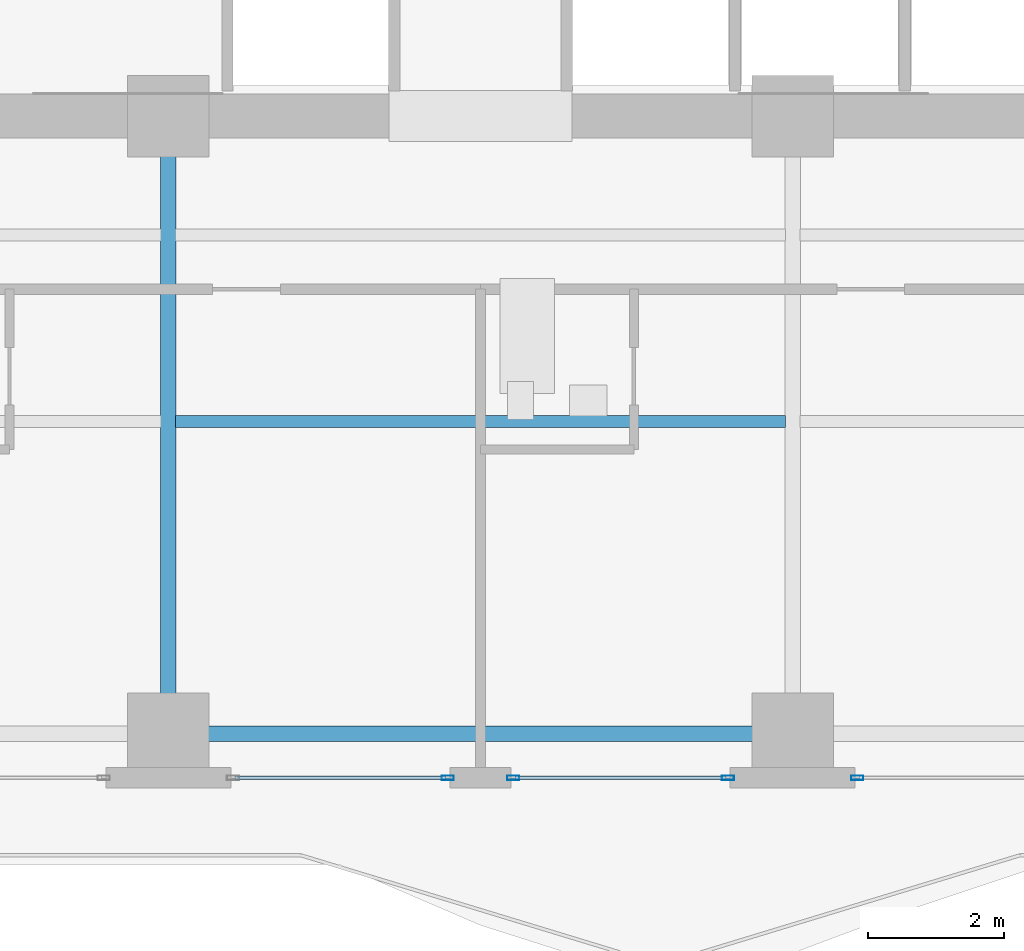
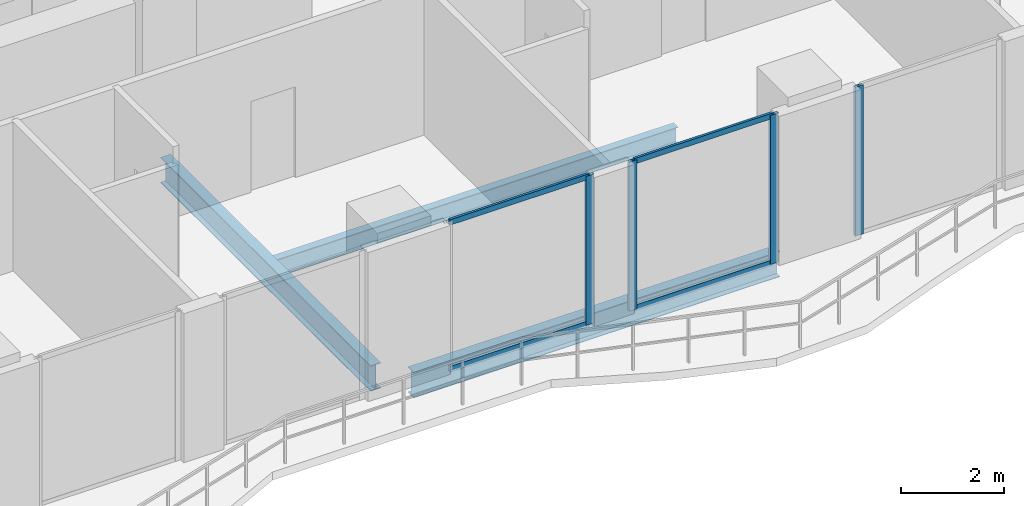
# One storey, part 5 of 32: 8 members, 3 beams, 3 elements without a shape of their own.
"""IFC4 building model written with IfcOpenShell, lengths in metres."""

from ifc_helpers import new_model, si_unit, direction, frame, origin, origin_2d, place, context, subcontext, project, spatial, hollow_rectangle, i_section, extrude, material, layer, layer_set, material_profile, profile_set, type_object, element, aggregate, save


model = new_model("IFC4")

# Units and contexts
model_context = context("Model", 3, precision=1e-05, world=origin(), true_north=direction((0.0, 1.0)))
body_context = subcontext(model_context, "Body", "Model", "MODEL_VIEW")
ifc_project = project(units=[si_unit("LENGTHUNIT", "METRE"), si_unit("AREAUNIT", "SQUARE_METRE"), si_unit("VOLUMEUNIT", "CUBIC_METRE"), si_unit("PLANEANGLEUNIT", "RADIAN"), si_unit("MASSUNIT", "GRAM", prefix="KILO")], contexts=[model_context])

# Site, building, storey
site_placement = place(None, origin())
site = spatial("IfcSite", under=ifc_project, at=site_placement, CompositionType="ELEMENT")
building_placement = place(site_placement, origin())
building = spatial("IfcBuilding", under=site, at=building_placement, Name="Zuhayl Quay Hotel", CompositionType="ELEMENT")
storey_placement = place(building_placement, frame((0.0, 0.0, 226.14990234375)))
storey = spatial("IfcBuildingStorey", under=building, at=storey_placement, Name="L57", CompositionType="ELEMENT", Elevation=226.14990234375)

# Beams
ifc_material_1 = material(Name="Steel ASTM A992 Grade 50", Category="steel")
ifc_material_profile_1 = material_profile(ifc_material_1, i_section(OverallWidth=0.22802734375, OverallDepth=0.60693359375, WebThickness=0.01123046875, FlangeThickness=0.017333984375, at=origin_2d()), Name="W24X76")
ifc_profile_set_1 = profile_set([ifc_material_profile_1], Name="Steel ASTM A992 Grade 50")
beam_type_1 = type_object("IfcBeamType", Name="BM_B3_W24X76", PredefinedType="BEAM", material=ifc_profile_set_1)
beam_1_placement = place(storey_placement, frame((-4.10009765625, -6.949951171875, -0.5234375), z_axis=(1.0, 0.0, 0.0), x_axis=(0.0, 1.0, 0.0)))
element("IfcBeam", 1, at=beam_1_placement, inside=storey, type_object=beam_type_1, Name="L57 Floor Beam RG_L57_02", PredefinedType="BEAM", context=body_context, shape_type="SweptSolid", body=[
    extrude(i_section(OverallWidth=0.22802734375, OverallDepth=0.60693359375, WebThickness=0.01123046875, FlangeThickness=0.017333984375, at=origin_2d()), origin(), (0.0, 0.0, 1.0), 8.2001953125),
])
beam_2_placement = place(storey_placement, frame((-4.60009765625, -6.449951171875, -0.5234375), z_axis=(0.0, 1.0, 0.0), x_axis=(-1.0, 0.0, 0.0)))
element("IfcBeam", 2, at=beam_2_placement, inside=storey, type_object=beam_type_1, Name="L57 Floor Beam FG_S_L57_2", PredefinedType="BEAM", context=body_context, shape_type="SweptSolid", body=[
    extrude(i_section(OverallWidth=0.22802734375, OverallDepth=0.60693359375, WebThickness=0.01123046875, FlangeThickness=0.017333984375, at=origin_2d()), origin(), (0.0, 0.0, 1.0), 8.14990234375),
])
ifc_material_profile_2 = material_profile(ifc_material_1, i_section(OverallWidth=0.177978515625, OverallDepth=0.406005859375, WebThickness=0.0078125, FlangeThickness=0.0126953125, at=origin_2d()), Name="W16X40")
ifc_profile_set_2 = profile_set([ifc_material_profile_2], Name="Steel ASTM A992 Grade 50")
beam_type_2 = type_object("IfcBeamType", Name="BM_J2B_W16X40", PredefinedType="JOIST", material=ifc_profile_set_2)
beam_3_placement = place(storey_placement, frame((-4.493896484375, -2.35009765625, -0.4228515625), z_axis=(1.0, 0.0, 0.0), x_axis=(0.0, 1.0, 0.0)))
element("IfcBeam", 3, at=beam_3_placement, inside=storey, type_object=beam_type_2, Name="L57 Floor Beam FJ_L57_7_2", PredefinedType="JOIST", context=body_context, shape_type="SweptSolid", body=[
    extrude(i_section(OverallWidth=0.177978515625, OverallDepth=0.406005859375, WebThickness=0.0078125, FlangeThickness=0.0126953125, at=origin_2d()), origin(), (0.0, 0.0, 1.0), 8.98779296875),
])

# Curtain wall, member
ifc_material_2 = material(Name="Anodised Aluminium 6063-T6", Category="aluminium")
ifc_layer = layer(ifc_material_2, 0.175048828125, Name="Anodised Aluminium 6063-T6", Category="aluminium")
ifc_layer_set = layer_set([ifc_layer], Name="Anodised Aluminium 6063-T6")
curtain_wall_type = type_object("IfcCurtainWallType", Name="CW_SYS_Z3", PredefinedType="USERDEFINED", material=ifc_layer_set)
curtain_wall_1_placement = place(storey_placement, origin())
curtain_wall_1 = element("IfcCurtainWall", 4, at=curtain_wall_1_placement, inside=storey, type_object=curtain_wall_type, Name="L57 Curtain Wall ENV_L57_S_CW3", ObjectType="UNITISED CURTAIN WALL", PredefinedType="USERDEFINED")
ifc_material_3 = material(Name="Black-anodised aluminium 6063-T6", Category="aluminium")
ifc_material_profile_3 = material_profile(ifc_material_3, hollow_rectangle(XDim=0.06494140625, YDim=0.179931640625, WallThickness=0.00341796875, at=origin_2d()), Name="ALU180X65")
ifc_profile_set_3 = profile_set([ifc_material_profile_3], Name="Black-anodised aluminium 6063-T6")
member_type_1 = type_object("IfcMemberType", Name="MB_CW_MUL_180", PredefinedType="MULLION", material=ifc_profile_set_3)
member_1_placement = place(storey_placement, frame((5.552490234375, -7.60009765625, 0.0), z_axis=(0.0, 0.0, 1.0), x_axis=(0.0, -1.0, 0.0)))
member_1 = element("IfcMember", 5, at=member_1_placement, type_object=member_type_1, Name="CW-Z3 mullion 2", PredefinedType="MULLION", context=body_context, shape_type="SweptSolid", body=[
    extrude(hollow_rectangle(XDim=0.06494140625, YDim=0.179931640625, WallThickness=0.00341796875, at=origin_2d()), origin(), (0.0, 0.0, 1.0), 3.530029296875),
])
aggregate(curtain_wall_1, [member_1])

# Curtain wall, members
curtain_wall_2_placement = place(storey_placement, origin())
curtain_wall_2 = element("IfcCurtainWall", 6, at=curtain_wall_2_placement, inside=storey, type_object=curtain_wall_type, Name="L57 Curtain Wall ENV_L57_S_CW4", ObjectType="UNITISED CURTAIN WALL", PredefinedType="USERDEFINED")
member_2_placement = place(storey_placement, frame((3.6474609375, -7.60009765625, 0.0), z_axis=(0.0, 0.0, 1.0), x_axis=(0.0, -1.0, 0.0)))
member_2 = element("IfcMember", 7, at=member_2_placement, type_object=member_type_1, Name="CW-Z3 mullion 1", PredefinedType="MULLION", context=body_context, shape_type="SweptSolid", body=[
    extrude(hollow_rectangle(XDim=0.06494140625, YDim=0.179931640625, WallThickness=0.00341796875, at=origin_2d()), origin(), (0.0, 0.0, 1.0), 3.530029296875),
])
member_3_placement = place(storey_placement, frame((0.482421875, -7.60009765625, 0.0), z_axis=(0.0, 0.0, 1.0), x_axis=(0.0, -1.0, 0.0)))
member_3 = element("IfcMember", 8, at=member_3_placement, type_object=member_type_1, Name="CW-Z3 mullion 2", PredefinedType="MULLION", context=body_context, shape_type="SweptSolid", body=[
    extrude(hollow_rectangle(XDim=0.06494140625, YDim=0.179931640625, WallThickness=0.00341796875, at=origin_2d()), origin(), (0.0, 0.0, 1.0), 3.530029296875),
])

# Curtain wall, member
curtain_wall_3_placement = place(storey_placement, origin())
curtain_wall_3 = element("IfcCurtainWall", 9, at=curtain_wall_3_placement, inside=storey, type_object=curtain_wall_type, Name="L57 Curtain Wall ENV_L57_S_CW5", ObjectType="UNITISED CURTAIN WALL", PredefinedType="USERDEFINED")
member_4_placement = place(storey_placement, frame((-0.482421875, -7.60009765625, 0.0), z_axis=(0.0, 0.0, 1.0), x_axis=(0.0, -1.0, 0.0)))
member_4 = element("IfcMember", 10, at=member_4_placement, type_object=member_type_1, Name="CW-Z3 mullion 1", PredefinedType="MULLION", context=body_context, shape_type="SweptSolid", body=[
    extrude(hollow_rectangle(XDim=0.06494140625, YDim=0.179931640625, WallThickness=0.00341796875, at=origin_2d()), origin(), (0.0, 0.0, 1.0), 3.530029296875),
])

# Member
ifc_material_profile_4 = material_profile(ifc_material_3, hollow_rectangle(XDim=0.054931640625, YDim=0.1298828125, WallThickness=0.0029296875, at=origin_2d()), Name="ALU130X55")
ifc_profile_set_4 = profile_set([ifc_material_profile_4], Name="Black-anodised aluminium 6063-T6")
member_type_2 = type_object("IfcMemberType", Name="MB_CW_TRN_130", PredefinedType="USERDEFINED", material=ifc_profile_set_4)
member_5_placement = place(storey_placement, frame((3.614990234375, -7.60009765625, 0.027587890625), z_axis=(-1.0, 0.0, 0.0), x_axis=(0.0, -1.0, 0.0)))
member_5 = element("IfcMember", 11, at=member_5_placement, type_object=member_type_2, Name="CW-Z3 transom 1.1", ObjectType="TRANSOM", PredefinedType="USERDEFINED", context=body_context, shape_type="SweptSolid", body=[
    extrude(hollow_rectangle(XDim=0.054931640625, YDim=0.1298828125, WallThickness=0.0029296875, at=origin_2d()), origin(), (0.0, 0.0, 1.0), 3.10009765625),
])

member_6_placement = place(storey_placement, frame((3.614990234375, -7.60009765625, 3.502685546875), z_axis=(-1.0, 0.0, 0.0), x_axis=(0.0, -1.0, 0.0)))
member_6 = element("IfcMember", 12, at=member_6_placement, type_object=member_type_2, Name="CW-Z3 transom 1.2", ObjectType="TRANSOM", PredefinedType="USERDEFINED", context=body_context, shape_type="SweptSolid", body=[
    extrude(hollow_rectangle(XDim=0.054931640625, YDim=0.1298828125, WallThickness=0.0029296875, at=origin_2d()), origin(), (0.0, 0.0, 1.0), 3.10009765625),
])

aggregate(curtain_wall_2, [member_2, member_3, member_5, member_6])

member_7_placement = place(storey_placement, frame((-0.514892578125, -7.60009765625, 0.027587890625), z_axis=(-1.0, 0.0, 0.0), x_axis=(0.0, -1.0, 0.0)))
member_7 = element("IfcMember", 13, at=member_7_placement, type_object=member_type_2, Name="CW-Z3 transom 1.1", ObjectType="TRANSOM", PredefinedType="USERDEFINED", context=body_context, shape_type="SweptSolid", body=[
    extrude(hollow_rectangle(XDim=0.054931640625, YDim=0.1298828125, WallThickness=0.0029296875, at=origin_2d()), origin(), (0.0, 0.0, 1.0), 3.10009765625),
])

member_8_placement = place(storey_placement, frame((-0.514892578125, -7.60009765625, 3.502685546875), z_axis=(-1.0, 0.0, 0.0), x_axis=(0.0, -1.0, 0.0)))
member_8 = element("IfcMember", 14, at=member_8_placement, type_object=member_type_2, Name="CW-Z3 transom 1.2", ObjectType="TRANSOM", PredefinedType="USERDEFINED", context=body_context, shape_type="SweptSolid", body=[
    extrude(hollow_rectangle(XDim=0.054931640625, YDim=0.1298828125, WallThickness=0.0029296875, at=origin_2d()), origin(), (0.0, 0.0, 1.0), 3.10009765625),
])

aggregate(curtain_wall_3, [member_4, member_7, member_8])

save(model, "model.ifc")
